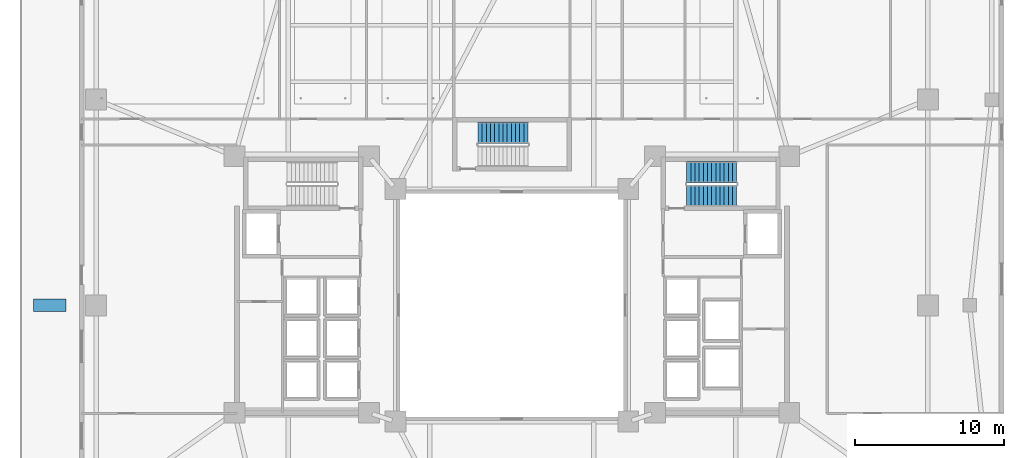
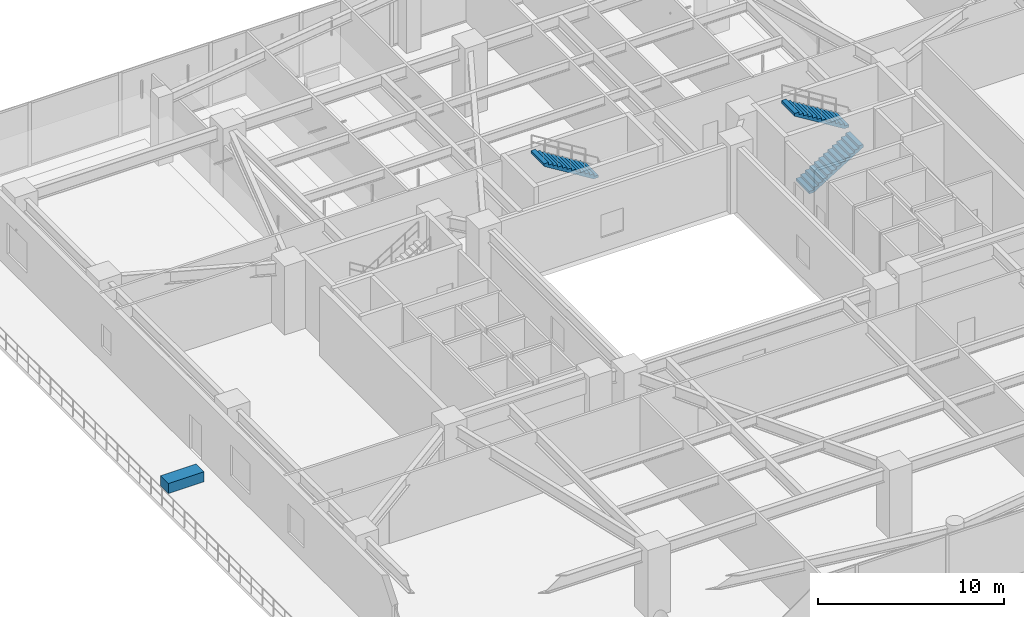
# One storey, part 22 of 29: 3 stair flights, 1 discrete accessory, 2 elements without a shape of their own.
"""IFC4 building model written with IfcOpenShell, lengths in metres."""

from ifc_helpers import new_model, si_unit, direction, frame, origin, origin_2d, place, context, subcontext, project, spatial, polyline, rectangle, outline, extrude, material, type_object, element, aggregate, save


model = new_model("IFC4")

# Units and contexts
model_context = context("Model", 3, precision=1e-05, world=origin(), true_north=direction((0.0, 1.0)))
body_context = subcontext(model_context, "Body", "Model", "MODEL_VIEW")
ifc_project = project(units=[si_unit("LENGTHUNIT", "METRE"), si_unit("AREAUNIT", "SQUARE_METRE"), si_unit("VOLUMEUNIT", "CUBIC_METRE"), si_unit("PLANEANGLEUNIT", "RADIAN"), si_unit("MASSUNIT", "GRAM", prefix="KILO")], contexts=[model_context])

# Site, building, storey
site_placement = place(None, origin())
site = spatial("IfcSite", under=ifc_project, at=site_placement, CompositionType="ELEMENT")
building_placement = place(site_placement, origin())
building = spatial("IfcBuilding", under=site, at=building_placement, Name="Tarnavaz Court Tower", CompositionType="ELEMENT")
storey_placement = place(building_placement, frame((0.0, 0.0, 5.39990234375)))
storey = spatial("IfcBuildingStorey", under=building, at=storey_placement, Name="L01", CompositionType="ELEMENT", Elevation=5.39990234375)

# Stair, stair flights
ifc_material_1 = material(Name="Concrete C40/50", Category="concrete")
stair_type = type_object("IfcStairType", Name="ST-TWR-26R", PredefinedType="HALF_TURN_STAIR", material=ifc_material_1)
stair_1_placement = place(storey_placement, origin())
stair_1 = element("IfcStair", 1, at=stair_1_placement, inside=storey, type_object=stair_type, Name="L01 East Core Pressurized Exit Stair ST-E1", PredefinedType="HALF_TURN_STAIR")
stair_flight_type = type_object("IfcStairFlightType", Name="SFL-RC-26R", PredefinedType="STRAIGHT", material=ifc_material_1)
stair_flight_1_placement = place(storey_placement, frame((11.719970703125, 7.360107421875, 0.0), z_axis=(0.0, 0.0, 1.0), x_axis=(1.0, 0.0, 0.0)))
stair_flight_1 = element("IfcStairFlight", 2, at=stair_flight_1_placement, type_object=stair_flight_type, Name="ST-E1 flight 1", NumberOfRisers=13, NumberOfTreads=12, PredefinedType="STRAIGHT", RiserHeight=0.173076923, TreadLength=0.28, context=body_context, shape_type="SweptSolid", body=[
    extrude(outline(polyline([(0.0, 0.0), (0.0, 0.173095703125), (0.280029296875, 0.173095703125), (0.280029296875, 0.34619140625), (0.56005859375, 0.34619140625), (0.56005859375, 0.519287109375), (0.840087890625, 0.519287109375), (0.840087890625, 0.6923828125), (1.1201171875, 0.6923828125), (1.1201171875, 0.865478515625), (1.39990234375, 0.865478515625), (1.39990234375, 1.03857421875), (1.679931640625, 1.03857421875), (1.679931640625, 1.21142578125), (1.9599609375, 1.21142578125), (1.9599609375, 1.384521484375), (2.239990234375, 1.384521484375), (2.239990234375, 1.5576171875), (2.52001953125, 1.5576171875), (2.52001953125, 1.730712890625), (2.800048828125, 1.730712890625), (2.800048828125, 1.90380859375), (3.080078125, 1.90380859375), (3.080078125, 2.076904296875), (3.360107421875, 2.076904296875), (3.360107421875, 2.25), (3.360107421875, 1.900634765625), (0.28515625, 0.0), (0.0, 0.0)])), frame((0.0, 0.7099609375, 0.0), z_axis=(0.0, -1.0, 0.0), x_axis=(1.0, 0.0, 0.0)), (0.0, 0.0, 1.0), 1.419921875),
])
stair_flight_2_placement = place(storey_placement, frame((15.080078125, 8.929931640625, 2.25), z_axis=(0.0, 0.0, 1.0), x_axis=(-1.0, 0.0, 0.0)))
stair_flight_2 = element("IfcStairFlight", 3, at=stair_flight_2_placement, type_object=stair_flight_type, Name="ST-E1 flight 2", NumberOfRisers=13, NumberOfTreads=12, PredefinedType="STRAIGHT", RiserHeight=0.173076923, TreadLength=0.28, context=body_context, shape_type="SweptSolid", body=[
    extrude(outline(polyline([(0.0, 0.0), (0.0, 0.173095703125), (0.280029296875, 0.173095703125), (0.280029296875, 0.34619140625), (0.56005859375, 0.34619140625), (0.56005859375, 0.519287109375), (0.840087890625, 0.519287109375), (0.840087890625, 0.6923828125), (1.1201171875, 0.6923828125), (1.1201171875, 0.865478515625), (1.39990234375, 0.865478515625), (1.39990234375, 1.03857421875), (1.679931640625, 1.03857421875), (1.679931640625, 1.21142578125), (1.9599609375, 1.21142578125), (1.9599609375, 1.384521484375), (2.239990234375, 1.384521484375), (2.239990234375, 1.5576171875), (2.52001953125, 1.5576171875), (2.52001953125, 1.730712890625), (2.800048828125, 1.730712890625), (2.800048828125, 1.90380859375), (3.080078125, 1.90380859375), (3.080078125, 2.076904296875), (3.360107421875, 2.076904296875), (3.360107421875, 2.25), (3.360107421875, 1.900634765625), (0.28515625, 0.0), (0.0, 0.0)])), frame((0.0, 0.7099609375, 0.0), z_axis=(0.0, -1.0, 0.0), x_axis=(1.0, 0.0, 0.0)), (0.0, 0.0, 1.0), 1.419921875),
])
aggregate(stair_1, [stair_flight_1, stair_flight_2])

# Stair, stair flight
stair_2_placement = place(storey_placement, origin())
stair_2 = element("IfcStair", 4, at=stair_2_placement, inside=storey, type_object=stair_type, Name="L01 North Ring Pressurized Exit Stair ST-N1", PredefinedType="HALF_TURN_STAIR")
stair_flight_3_placement = place(storey_placement, frame((1.080078125, 11.580078125, 2.25), z_axis=(0.0, 0.0, 1.0), x_axis=(-1.0, 0.0, 0.0)))
stair_flight_3 = element("IfcStairFlight", 5, at=stair_flight_3_placement, type_object=stair_flight_type, Name="ST-N1 flight 2", NumberOfRisers=13, NumberOfTreads=12, PredefinedType="STRAIGHT", RiserHeight=0.173076923, TreadLength=0.28, context=body_context, shape_type="SweptSolid", body=[
    extrude(outline(polyline([(0.0, 0.0), (0.0, 0.173095703125), (0.280029296875, 0.173095703125), (0.280029296875, 0.34619140625), (0.56005859375, 0.34619140625), (0.56005859375, 0.519287109375), (0.840087890625, 0.519287109375), (0.840087890625, 0.6923828125), (1.1201171875, 0.6923828125), (1.1201171875, 0.865478515625), (1.39990234375, 0.865478515625), (1.39990234375, 1.03857421875), (1.679931640625, 1.03857421875), (1.679931640625, 1.21142578125), (1.9599609375, 1.21142578125), (1.9599609375, 1.384521484375), (2.239990234375, 1.384521484375), (2.239990234375, 1.5576171875), (2.52001953125, 1.5576171875), (2.52001953125, 1.730712890625), (2.800048828125, 1.730712890625), (2.800048828125, 1.90380859375), (3.080078125, 1.90380859375), (3.080078125, 2.076904296875), (3.360107421875, 2.076904296875), (3.360107421875, 2.25), (3.360107421875, 1.900634765625), (0.28515625, 0.0), (0.0, 0.0)])), frame((0.0, 0.7099609375, 0.0), z_axis=(0.0, -1.0, 0.0), x_axis=(1.0, 0.0, 0.0)), (0.0, 0.0, 1.0), 1.419921875),
])
aggregate(stair_2, [stair_flight_3])

# Discrete accessory
ifc_material_2 = material(Name="Terracotta Architectural Planter Trough", Category="masonry")
discrete_accessory_type = type_object("IfcDiscreteAccessoryType", Name="DA-PLANTER-TC", PredefinedType="USERDEFINED", material=ifc_material_2)
discrete_accessory_placement = place(storey_placement, frame((-31.0, 0.0, 0.000244140625), z_axis=(0.0, 0.0, 1.0), x_axis=(1.0, 0.0, 0.0)))
element("IfcDiscreteAccessory", 6, at=discrete_accessory_placement, inside=storey, type_object=discrete_accessory_type, Name="L01 Chahar-Bagh Terracotta Landscape Planter 1", ObjectType="PLANTER", PredefinedType="USERDEFINED", context=body_context, shape_type="SweptSolid", body=[
    extrude(rectangle(XDim=2.199951171875, YDim=0.85009765625, at=origin_2d()), origin(), (0.0, 0.0, 1.0), 0.64990234375),
])

save(model, "model.ifc")
